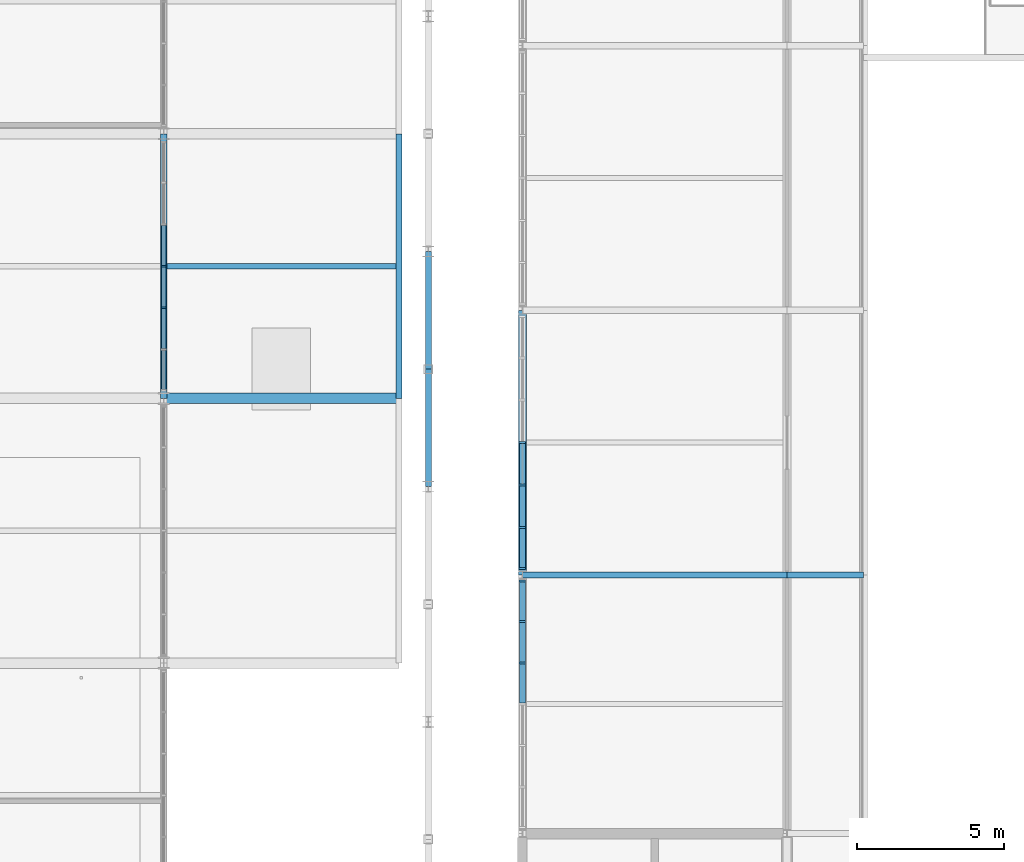
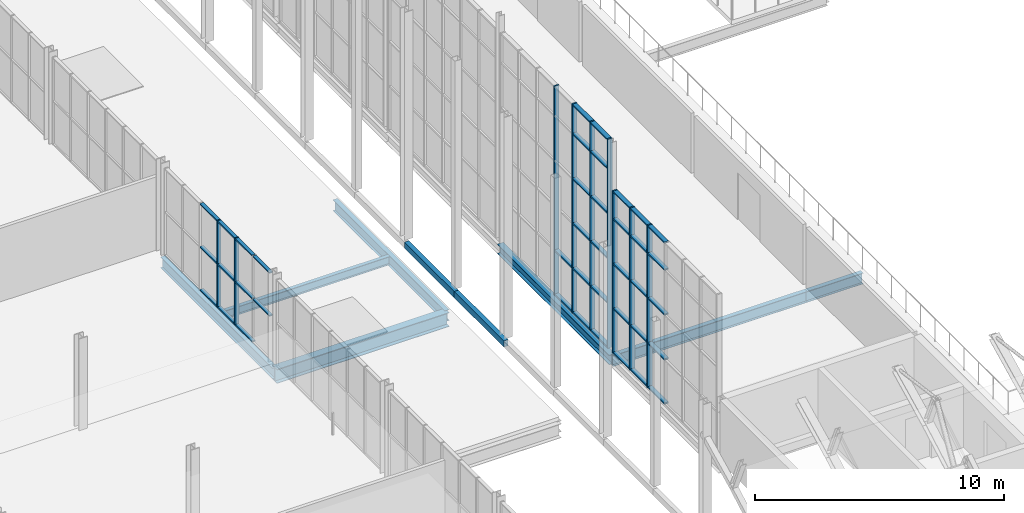
# One storey, part 49 of 134: 49 members, 9 beams, 3 elements without a shape of their own.
"""IFC4 building model written with IfcOpenShell, lengths in metres."""

from ifc_helpers import new_model, si_unit, direction, frame, origin, origin_2d, place, context, subcontext, project, spatial, rectangle, hollow_rectangle, i_section, extrude, material, layer, layer_set, material_profile, profile_set, type_object, element, aggregate, save


model = new_model("IFC4")

# Units and contexts
model_context = context("Model", 3, precision=1e-05, world=origin(), true_north=direction((0.0, 1.0)))
body_context = subcontext(model_context, "Body", "Model", "MODEL_VIEW")
ifc_project = project(units=[si_unit("LENGTHUNIT", "METRE"), si_unit("AREAUNIT", "SQUARE_METRE"), si_unit("VOLUMEUNIT", "CUBIC_METRE"), si_unit("PLANEANGLEUNIT", "RADIAN"), si_unit("MASSUNIT", "GRAM", prefix="KILO")], contexts=[model_context])

# Site, building, storey
site_placement = place(None, origin())
site = spatial("IfcSite", under=ifc_project, at=site_placement, CompositionType="ELEMENT")
building_placement = place(site_placement, origin())
building = spatial("IfcBuilding", under=site, at=building_placement, Name="Cazmaro Siding Exhibition Halls", CompositionType="ELEMENT")
storey_placement = place(building_placement, frame((0.0, 0.0, 12.0)))
storey = spatial("IfcBuildingStorey", under=building, at=storey_placement, Name="L02", CompositionType="ELEMENT", Elevation=12.0)

# Beams
ifc_material_1 = material(Name="Steel ASTM A992 Grade 50", Category="steel")
ifc_material_profile_1 = material_profile(ifc_material_1, i_section(OverallWidth=0.214111328125, OverallDepth=0.549072265625, WebThickness=0.014892578125, FlangeThickness=0.02392578125, at=origin_2d()), Name="W21X93")
ifc_profile_set_1 = profile_set([ifc_material_profile_1], Name="Steel ASTM A992 Grade 50")
beam_type_1 = type_object("IfcBeamType", Name="B-01", PredefinedType="BEAM", material=ifc_profile_set_1)
beam_1_placement = place(storey_placement, frame((36.0, 91.0, -0.4951171875), z_axis=(0.0, 1.0, 0.0), x_axis=(-1.0, 0.0, 0.0)))
element("IfcBeam", 1, at=beam_1_placement, inside=storey, type_object=beam_type_1, Name="Beam B-01 BM-2152", PredefinedType="BEAM", context=body_context, shape_type="SweptSolid", body=[
    extrude(i_section(OverallWidth=0.214111328125, OverallDepth=0.549072265625, WebThickness=0.014892578125, FlangeThickness=0.02392578125, at=origin_2d()), origin(), (0.0, 0.0, 1.0), 9.0),
])
ifc_material_2 = material(Name="Steel ASTM A992 Grade 50", Category="steel")
ifc_material_profile_2 = material_profile(ifc_material_2, i_section(OverallWidth=0.2099609375, OverallDepth=0.535888671875, WebThickness=0.010986328125, FlangeThickness=0.01708984375, at=origin_2d()), Name="W21X68")
ifc_profile_set_2 = profile_set([ifc_material_profile_2], Name="Steel ASTM A992 Grade 50")
beam_type_2 = type_object("IfcBeamType", Name="B-02", PredefinedType="BEAM", material=ifc_profile_set_2)
beam_2_placement = place(storey_placement, frame((48.199951171875, 85.0, -0.488037109375), z_axis=(1.0, 0.0, 0.0), x_axis=(0.0, 1.0, 0.0)))
element("IfcBeam", 2, at=beam_2_placement, inside=storey, type_object=beam_type_2, Name="Beam B-02 BM-0486", PredefinedType="BEAM", context=body_context, shape_type="SweptSolid", body=[
    extrude(i_section(OverallWidth=0.2099609375, OverallDepth=0.535888671875, WebThickness=0.010986328125, FlangeThickness=0.01708984375, at=origin_2d()), origin(), (0.0, 0.0, 1.0), 9.0),
])
beam_3_placement = place(storey_placement, frame((57.199951171875, 85.0, -0.488037109375), z_axis=(1.0, 0.0, 0.0), x_axis=(0.0, 1.0, 0.0)))
element("IfcBeam", 3, at=beam_3_placement, inside=storey, type_object=beam_type_2, Name="Beam B-02 BM-0502", PredefinedType="BEAM", context=body_context, shape_type="SweptSolid", body=[
    extrude(i_section(OverallWidth=0.2099609375, OverallDepth=0.535888671875, WebThickness=0.010986328125, FlangeThickness=0.01708984375, at=origin_2d()), origin(), (0.0, 0.0, 1.0), 2.60009765625),
])
beam_4_placement = place(storey_placement, frame((44.0, 91.0, -0.488037109375), z_axis=(0.0, 1.0, 0.0), x_axis=(-1.0, 0.0, 0.0)))
element("IfcBeam", 4, at=beam_4_placement, inside=storey, type_object=beam_type_2, Name="Beam B-02 BM-2164", PredefinedType="BEAM", context=body_context, shape_type="SweptSolid", body=[
    extrude(i_section(OverallWidth=0.2099609375, OverallDepth=0.535888671875, WebThickness=0.010986328125, FlangeThickness=0.01708984375, at=origin_2d()), origin(), (0.0, 0.0, 1.0), 9.0),
])
ifc_material_3 = material(Name="Steel ASTM A992 Grade 50", Category="steel")
ifc_material_profile_3 = material_profile(ifc_material_3, i_section(OverallWidth=0.279052734375, OverallDepth=0.4619140625, WebThickness=0.010986328125, FlangeThickness=0.01708984375, at=origin_2d()), Name="W18X76")
ifc_profile_set_3 = profile_set([ifc_material_profile_3], Name="Steel ASTM A992 Grade 50")
beam_type_3 = type_object("IfcBeamType", Name="B-03", PredefinedType="BEAM", material=ifc_profile_set_3)
beam_5_placement = place(storey_placement, frame((48.199951171875, 85.0, -0.450927734375), z_axis=(0.0, 1.0, 0.0), x_axis=(-1.0, 0.0, 0.0)))
element("IfcBeam", 5, at=beam_5_placement, inside=storey, type_object=beam_type_3, Name="Beam B-03 BM-0492", PredefinedType="BEAM", context=body_context, shape_type="SweptSolid", body=[
    extrude(i_section(OverallWidth=0.279052734375, OverallDepth=0.4619140625, WebThickness=0.010986328125, FlangeThickness=0.01708984375, at=origin_2d()), origin(), (0.0, 0.0, 1.0), 9.0),
])

# Curtain wall, members
ifc_material_4 = material(Name="Anodized Bronze Aluminum and Solar-Control Low-E Glazing", Category="aluminium")
ifc_layer_1 = layer(ifc_material_4, 0.179931640625)
ifc_layer_set_1 = layer_set([ifc_layer_1], Name="Anodized Bronze Aluminum and Solar-Control Low-E Glazing")
curtain_wall_type_1 = type_object("IfcCurtainWallType", Name="CWS-01", PredefinedType="USERDEFINED", material=ifc_layer_set_1)
curtain_wall_1_placement = place(storey_placement, origin())
curtain_wall_1 = element("IfcCurtainWall", 6, at=curtain_wall_1_placement, inside=storey, type_object=curtain_wall_type_1, Name="Glazed Curtain Wall CWS-01 CW-241", ObjectType="GLAZED CURTAIN WALL", PredefinedType="USERDEFINED")
ifc_material_5 = material(Name="Anodized Bronze Extruded Aluminum", Category="aluminium")
ifc_material_profile_4 = material_profile(ifc_material_5, rectangle(XDim=0.179931640625, YDim=0.06005859375, at=origin_2d()), Name="CWM-01")
ifc_profile_set_4 = profile_set([ifc_material_profile_4], Name="Anodized Bronze Extruded Aluminum")
member_type_1 = type_object("IfcMemberType", Name="CWM-01", PredefinedType="MULLION", material=ifc_profile_set_4)
member_1_placement = place(storey_placement, frame((36.0, 94.081787109375, 0.0), z_axis=(0.0, 0.0, 1.0), x_axis=(-1.0, 0.0, 0.0)))
member_1 = element("IfcMember", 7, at=member_1_placement, type_object=member_type_1, Name="CWS-01 mullion 3", PredefinedType="MULLION", context=body_context, shape_type="SweptSolid", body=[
    extrude(rectangle(XDim=0.179931640625, YDim=0.06005859375, at=origin_2d()), origin(), (0.0, 0.0, 1.0), 4.280029296875),
])
member_2_placement = place(storey_placement, frame((36.0, 95.5, 0.0), z_axis=(0.0, 0.0, 1.0), x_axis=(-1.0, 0.0, 0.0)))
member_2 = element("IfcMember", 8, at=member_2_placement, type_object=member_type_1, Name="CWS-01 mullion 4", PredefinedType="MULLION", context=body_context, shape_type="SweptSolid", body=[
    extrude(rectangle(XDim=0.179931640625, YDim=0.06005859375, at=origin_2d()), origin(), (0.0, 0.0, 1.0), 4.280029296875),
])

ifc_material_6 = material(Name="Anodized Bronze Aluminum and Solar-Control Low-E Glazing", Category="aluminium")
ifc_layer_2 = layer(ifc_material_6, 0.219970703125)
ifc_layer_set_2 = layer_set([ifc_layer_2], Name="Anodized Bronze Aluminum and Solar-Control Low-E Glazing")
curtain_wall_type_2 = type_object("IfcCurtainWallType", Name="CWS-03", PredefinedType="USERDEFINED", material=ifc_layer_set_2)
curtain_wall_2_placement = place(storey_placement, origin())
curtain_wall_2 = element("IfcCurtainWall", 9, at=curtain_wall_2_placement, inside=storey, type_object=curtain_wall_type_2, Name="Glazed Curtain Wall CWS-03 CW-052", ObjectType="GLAZED CURTAIN WALL", PredefinedType="USERDEFINED")
ifc_material_7 = material(Name="Anodized Bronze Extruded Aluminum", Category="aluminium")
ifc_material_profile_5 = material_profile(ifc_material_7, rectangle(XDim=0.219970703125, YDim=0.070068359375, at=origin_2d()), Name="CWM-03")
ifc_profile_set_5 = profile_set([ifc_material_profile_5], Name="Anodized Bronze Extruded Aluminum")
member_type_2 = type_object("IfcMemberType", Name="CWM-03", PredefinedType="MULLION", material=ifc_profile_set_5)
member_3_placement = place(storey_placement, frame((48.199951171875, 84.7880859375, 0.0), z_axis=(0.0, 0.0, 1.0), x_axis=(1.0, 0.0, 0.0)))
member_3 = element("IfcMember", 10, at=member_3_placement, type_object=member_type_2, Name="CWS-03 mullion 1", PredefinedType="MULLION", context=body_context, shape_type="SweptSolid", body=[
    extrude(rectangle(XDim=0.219970703125, YDim=0.070068359375, at=origin_2d()), origin(), (0.0, 0.0, 1.0), 7.972900390625),
])
member_4_placement = place(storey_placement, frame((48.199951171875, 83.415283203125, 0.0), z_axis=(0.0, 0.0, 1.0), x_axis=(1.0, 0.0, 0.0)))
member_4 = element("IfcMember", 11, at=member_4_placement, type_object=member_type_2, Name="CWS-03 mullion 2", PredefinedType="MULLION", context=body_context, shape_type="SweptSolid", body=[
    extrude(rectangle(XDim=0.219970703125, YDim=0.070068359375, at=origin_2d()), origin(), (0.0, 0.0, 1.0), 7.972900390625),
])
member_5_placement = place(storey_placement, frame((48.199951171875, 82.007568359375, 0.0), z_axis=(0.0, 0.0, 1.0), x_axis=(1.0, 0.0, 0.0)))
member_5 = element("IfcMember", 12, at=member_5_placement, type_object=member_type_2, Name="CWS-03 mullion 3", PredefinedType="MULLION", context=body_context, shape_type="SweptSolid", body=[
    extrude(rectangle(XDim=0.219970703125, YDim=0.070068359375, at=origin_2d()), origin(), (0.0, 0.0, 1.0), 7.972900390625),
])

curtain_wall_3_placement = place(storey_placement, origin())
curtain_wall_3 = element("IfcCurtainWall", 13, at=curtain_wall_3_placement, inside=storey, type_object=curtain_wall_type_2, Name="Glazed Curtain Wall CWS-03 CW-055", ObjectType="GLAZED CURTAIN WALL", PredefinedType="USERDEFINED")
member_6_placement = place(storey_placement, frame((48.199951171875, 89.5, 0.0), z_axis=(0.0, 0.0, 1.0), x_axis=(1.0, 0.0, 0.0)))
member_6 = element("IfcMember", 14, at=member_6_placement, type_object=member_type_2, Name="CWS-03 mullion 4", PredefinedType="MULLION", context=body_context, shape_type="SweptSolid", body=[
    extrude(rectangle(XDim=0.219970703125, YDim=0.070068359375, at=origin_2d()), origin(), (0.0, 0.0, 1.0), 10.258056640625),
])
member_7_placement = place(storey_placement, frame((48.199951171875, 88.05908203125, 0.0), z_axis=(0.0, 0.0, 1.0), x_axis=(1.0, 0.0, 0.0)))
member_7 = element("IfcMember", 15, at=member_7_placement, type_object=member_type_2, Name="CWS-03 mullion 5", PredefinedType="MULLION", context=body_context, shape_type="SweptSolid", body=[
    extrude(rectangle(XDim=0.219970703125, YDim=0.070068359375, at=origin_2d()), origin(), (0.0, 0.0, 1.0), 10.258056640625),
])
member_8_placement = place(storey_placement, frame((48.199951171875, 86.617919921875, 0.0), z_axis=(0.0, 0.0, 1.0), x_axis=(1.0, 0.0, 0.0)))
member_8 = element("IfcMember", 16, at=member_8_placement, type_object=member_type_2, Name="CWS-03 mullion 6", PredefinedType="MULLION", context=body_context, shape_type="SweptSolid", body=[
    extrude(rectangle(XDim=0.219970703125, YDim=0.070068359375, at=origin_2d()), origin(), (0.0, 0.0, 1.0), 10.258056640625),
])
member_9_placement = place(storey_placement, frame((48.199951171875, 85.2119140625, 0.0), z_axis=(0.0, 0.0, 1.0), x_axis=(1.0, 0.0, 0.0)))
member_9 = element("IfcMember", 17, at=member_9_placement, type_object=member_type_2, Name="CWS-03 mullion 7", PredefinedType="MULLION", context=body_context, shape_type="SweptSolid", body=[
    extrude(rectangle(XDim=0.219970703125, YDim=0.070068359375, at=origin_2d()), origin(), (0.0, 0.0, 1.0), 10.258056640625),
])

# Member
ifc_material_8 = material(Name="Anodized Bronze Extruded Aluminum", Category="aluminium")
ifc_material_profile_6 = material_profile(ifc_material_8, rectangle(XDim=0.159912109375, YDim=0.06005859375, at=origin_2d()), Name="CWT-01")
ifc_profile_set_6 = profile_set([ifc_material_profile_6], Name="Anodized Bronze Extruded Aluminum")
member_type_3 = type_object("IfcMemberType", Name="CWT-01", PredefinedType="MULLION", material=ifc_profile_set_6)
member_10_placement = place(storey_placement, frame((36.0, 91.304931640625, 2.139892578125), z_axis=(0.0, 1.0, 0.0), x_axis=(-1.0, 0.0, 0.0)))
member_10 = element("IfcMember", 18, at=member_10_placement, type_object=member_type_3, Name="CWS-01 transom 1.2", ObjectType="TRANSOM", PredefinedType="USERDEFINED", context=body_context, shape_type="SweptSolid", body=[
    extrude(rectangle(XDim=0.159912109375, YDim=0.06005859375, at=origin_2d()), origin(), (0.0, 0.0, 1.0), 1.328369140625),
])

member_11_placement = place(storey_placement, frame((36.0, 91.304931640625, 4.25), z_axis=(0.0, 1.0, 0.0), x_axis=(-1.0, 0.0, 0.0)))
member_11 = element("IfcMember", 19, at=member_11_placement, type_object=member_type_3, Name="CWS-01 transom 1.3", ObjectType="TRANSOM", PredefinedType="USERDEFINED", context=body_context, shape_type="SweptSolid", body=[
    extrude(rectangle(XDim=0.159912109375, YDim=0.06005859375, at=origin_2d()), origin(), (0.0, 0.0, 1.0), 1.328369140625),
])

member_12_placement = place(storey_placement, frame((36.0, 92.693359375, 0.030029296875), z_axis=(0.0, 1.0, 0.0), x_axis=(-1.0, 0.0, 0.0)))
member_12 = element("IfcMember", 20, at=member_12_placement, type_object=member_type_3, Name="CWS-01 transom 2.1", ObjectType="TRANSOM", PredefinedType="USERDEFINED", context=body_context, shape_type="SweptSolid", body=[
    extrude(rectangle(XDim=0.159912109375, YDim=0.06005859375, at=origin_2d()), origin(), (0.0, 0.0, 1.0), 1.3583984375),
])

member_13_placement = place(storey_placement, frame((36.0, 92.693359375, 2.139892578125), z_axis=(0.0, 1.0, 0.0), x_axis=(-1.0, 0.0, 0.0)))
member_13 = element("IfcMember", 21, at=member_13_placement, type_object=member_type_3, Name="CWS-01 transom 2.2", ObjectType="TRANSOM", PredefinedType="USERDEFINED", context=body_context, shape_type="SweptSolid", body=[
    extrude(rectangle(XDim=0.159912109375, YDim=0.06005859375, at=origin_2d()), origin(), (0.0, 0.0, 1.0), 1.3583984375),
])

member_14_placement = place(storey_placement, frame((36.0, 92.693359375, 4.25), z_axis=(0.0, 1.0, 0.0), x_axis=(-1.0, 0.0, 0.0)))
member_14 = element("IfcMember", 22, at=member_14_placement, type_object=member_type_3, Name="CWS-01 transom 2.3", ObjectType="TRANSOM", PredefinedType="USERDEFINED", context=body_context, shape_type="SweptSolid", body=[
    extrude(rectangle(XDim=0.159912109375, YDim=0.06005859375, at=origin_2d()), origin(), (0.0, 0.0, 1.0), 1.3583984375),
])

member_15_placement = place(storey_placement, frame((36.0, 94.111572265625, 0.030029296875), z_axis=(0.0, 1.0, 0.0), x_axis=(-1.0, 0.0, 0.0)))
member_15 = element("IfcMember", 23, at=member_15_placement, type_object=member_type_3, Name="CWS-01 transom 3.1", ObjectType="TRANSOM", PredefinedType="USERDEFINED", context=body_context, shape_type="SweptSolid", body=[
    extrude(rectangle(XDim=0.159912109375, YDim=0.06005859375, at=origin_2d()), origin(), (0.0, 0.0, 1.0), 1.3583984375),
])

member_16_placement = place(storey_placement, frame((36.0, 94.111572265625, 2.139892578125), z_axis=(0.0, 1.0, 0.0), x_axis=(-1.0, 0.0, 0.0)))
member_16 = element("IfcMember", 24, at=member_16_placement, type_object=member_type_3, Name="CWS-01 transom 3.2", ObjectType="TRANSOM", PredefinedType="USERDEFINED", context=body_context, shape_type="SweptSolid", body=[
    extrude(rectangle(XDim=0.159912109375, YDim=0.06005859375, at=origin_2d()), origin(), (0.0, 0.0, 1.0), 1.3583984375),
])

member_17_placement = place(storey_placement, frame((36.0, 94.111572265625, 4.25), z_axis=(0.0, 1.0, 0.0), x_axis=(-1.0, 0.0, 0.0)))
member_17 = element("IfcMember", 25, at=member_17_placement, type_object=member_type_3, Name="CWS-01 transom 3.3", ObjectType="TRANSOM", PredefinedType="USERDEFINED", context=body_context, shape_type="SweptSolid", body=[
    extrude(rectangle(XDim=0.159912109375, YDim=0.06005859375, at=origin_2d()), origin(), (0.0, 0.0, 1.0), 1.3583984375),
])

member_18_placement = place(storey_placement, frame((36.0, 95.530029296875, 0.030029296875), z_axis=(0.0, 1.0, 0.0), x_axis=(-1.0, 0.0, 0.0)))
member_18 = element("IfcMember", 26, at=member_18_placement, type_object=member_type_3, Name="CWS-01 transom 4.1", ObjectType="TRANSOM", PredefinedType="USERDEFINED", context=body_context, shape_type="SweptSolid", body=[
    extrude(rectangle(XDim=0.159912109375, YDim=0.06005859375, at=origin_2d()), origin(), (0.0, 0.0, 1.0), 1.3583984375),
])

member_19_placement = place(storey_placement, frame((36.0, 95.530029296875, 2.139892578125), z_axis=(0.0, 1.0, 0.0), x_axis=(-1.0, 0.0, 0.0)))
member_19 = element("IfcMember", 27, at=member_19_placement, type_object=member_type_3, Name="CWS-01 transom 4.2", ObjectType="TRANSOM", PredefinedType="USERDEFINED", context=body_context, shape_type="SweptSolid", body=[
    extrude(rectangle(XDim=0.159912109375, YDim=0.06005859375, at=origin_2d()), origin(), (0.0, 0.0, 1.0), 1.3583984375),
])

member_20_placement = place(storey_placement, frame((36.0, 95.530029296875, 4.25), z_axis=(0.0, 1.0, 0.0), x_axis=(-1.0, 0.0, 0.0)))
member_20 = element("IfcMember", 28, at=member_20_placement, type_object=member_type_3, Name="CWS-01 transom 4.3", ObjectType="TRANSOM", PredefinedType="USERDEFINED", context=body_context, shape_type="SweptSolid", body=[
    extrude(rectangle(XDim=0.159912109375, YDim=0.06005859375, at=origin_2d()), origin(), (0.0, 0.0, 1.0), 1.3583984375),
])

aggregate(curtain_wall_1, [member_1, member_2, member_10, member_11, member_12, member_13, member_14, member_15, member_16, member_17, member_18, member_19, member_20])

ifc_material_9 = material(Name="Anodized Bronze Extruded Aluminum", Category="aluminium")
ifc_material_profile_7 = material_profile(ifc_material_9, rectangle(XDim=0.199951171875, YDim=0.070068359375, at=origin_2d()), Name="CWT-03")
ifc_profile_set_7 = profile_set([ifc_material_profile_7], Name="Anodized Bronze Extruded Aluminum")
member_type_4 = type_object("IfcMemberType", Name="CWT-03", PredefinedType="MULLION", material=ifc_profile_set_7)
member_21_placement = place(storey_placement, frame((48.199951171875, 84.7529296875, 0.034912109375), z_axis=(0.0, -1.0, 0.0), x_axis=(1.0, 0.0, 0.0)))
member_21 = element("IfcMember", 29, at=member_21_placement, type_object=member_type_4, Name="CWS-03 transom 1.1", ObjectType="TRANSOM", PredefinedType="USERDEFINED", context=body_context, shape_type="SweptSolid", body=[
    extrude(rectangle(XDim=0.199951171875, YDim=0.070068359375, at=origin_2d()), origin(), (0.0, 0.0, 1.0), 1.302490234375),
])

member_22_placement = place(storey_placement, frame((48.199951171875, 84.7529296875, 2.199951171875), z_axis=(0.0, -1.0, 0.0), x_axis=(1.0, 0.0, 0.0)))
member_22 = element("IfcMember", 30, at=member_22_placement, type_object=member_type_4, Name="CWS-03 transom 1.2", ObjectType="TRANSOM", PredefinedType="USERDEFINED", context=body_context, shape_type="SweptSolid", body=[
    extrude(rectangle(XDim=0.199951171875, YDim=0.070068359375, at=origin_2d()), origin(), (0.0, 0.0, 1.0), 1.302490234375),
])

member_23_placement = place(storey_placement, frame((48.199951171875, 84.7529296875, 4.39990234375), z_axis=(0.0, -1.0, 0.0), x_axis=(1.0, 0.0, 0.0)))
member_23 = element("IfcMember", 31, at=member_23_placement, type_object=member_type_4, Name="CWS-03 transom 1.3", ObjectType="TRANSOM", PredefinedType="USERDEFINED", context=body_context, shape_type="SweptSolid", body=[
    extrude(rectangle(XDim=0.199951171875, YDim=0.070068359375, at=origin_2d()), origin(), (0.0, 0.0, 1.0), 1.302490234375),
])

member_24_placement = place(storey_placement, frame((48.199951171875, 84.7529296875, 6.60009765625), z_axis=(0.0, -1.0, 0.0), x_axis=(1.0, 0.0, 0.0)))
member_24 = element("IfcMember", 32, at=member_24_placement, type_object=member_type_4, Name="CWS-03 transom 1.4", ObjectType="TRANSOM", PredefinedType="USERDEFINED", context=body_context, shape_type="SweptSolid", body=[
    extrude(rectangle(XDim=0.199951171875, YDim=0.070068359375, at=origin_2d()), origin(), (0.0, 0.0, 1.0), 1.302490234375),
])

member_25_placement = place(storey_placement, frame((48.199951171875, 84.7529296875, 7.93798828125), z_axis=(0.0, -1.0, 0.0), x_axis=(1.0, 0.0, 0.0)))
member_25 = element("IfcMember", 33, at=member_25_placement, type_object=member_type_4, Name="CWS-03 transom 1.5", ObjectType="TRANSOM", PredefinedType="USERDEFINED", context=body_context, shape_type="SweptSolid", body=[
    extrude(rectangle(XDim=0.199951171875, YDim=0.070068359375, at=origin_2d()), origin(), (0.0, 0.0, 1.0), 1.302490234375),
])

member_26_placement = place(storey_placement, frame((48.199951171875, 83.38037109375, 0.034912109375), z_axis=(0.0, -1.0, 0.0), x_axis=(1.0, 0.0, 0.0)))
member_26 = element("IfcMember", 34, at=member_26_placement, type_object=member_type_4, Name="CWS-03 transom 2.1", ObjectType="TRANSOM", PredefinedType="USERDEFINED", context=body_context, shape_type="SweptSolid", body=[
    extrude(rectangle(XDim=0.199951171875, YDim=0.070068359375, at=origin_2d()), origin(), (0.0, 0.0, 1.0), 1.337646484375),
])

member_27_placement = place(storey_placement, frame((48.199951171875, 83.38037109375, 2.199951171875), z_axis=(0.0, -1.0, 0.0), x_axis=(1.0, 0.0, 0.0)))
member_27 = element("IfcMember", 35, at=member_27_placement, type_object=member_type_4, Name="CWS-03 transom 2.2", ObjectType="TRANSOM", PredefinedType="USERDEFINED", context=body_context, shape_type="SweptSolid", body=[
    extrude(rectangle(XDim=0.199951171875, YDim=0.070068359375, at=origin_2d()), origin(), (0.0, 0.0, 1.0), 1.337646484375),
])

member_28_placement = place(storey_placement, frame((48.199951171875, 83.38037109375, 4.39990234375), z_axis=(0.0, -1.0, 0.0), x_axis=(1.0, 0.0, 0.0)))
member_28 = element("IfcMember", 36, at=member_28_placement, type_object=member_type_4, Name="CWS-03 transom 2.3", ObjectType="TRANSOM", PredefinedType="USERDEFINED", context=body_context, shape_type="SweptSolid", body=[
    extrude(rectangle(XDim=0.199951171875, YDim=0.070068359375, at=origin_2d()), origin(), (0.0, 0.0, 1.0), 1.337646484375),
])

member_29_placement = place(storey_placement, frame((48.199951171875, 83.38037109375, 6.60009765625), z_axis=(0.0, -1.0, 0.0), x_axis=(1.0, 0.0, 0.0)))
member_29 = element("IfcMember", 37, at=member_29_placement, type_object=member_type_4, Name="CWS-03 transom 2.4", ObjectType="TRANSOM", PredefinedType="USERDEFINED", context=body_context, shape_type="SweptSolid", body=[
    extrude(rectangle(XDim=0.199951171875, YDim=0.070068359375, at=origin_2d()), origin(), (0.0, 0.0, 1.0), 1.337646484375),
])

member_30_placement = place(storey_placement, frame((48.199951171875, 83.38037109375, 7.93798828125), z_axis=(0.0, -1.0, 0.0), x_axis=(1.0, 0.0, 0.0)))
member_30 = element("IfcMember", 38, at=member_30_placement, type_object=member_type_4, Name="CWS-03 transom 2.5", ObjectType="TRANSOM", PredefinedType="USERDEFINED", context=body_context, shape_type="SweptSolid", body=[
    extrude(rectangle(XDim=0.199951171875, YDim=0.070068359375, at=origin_2d()), origin(), (0.0, 0.0, 1.0), 1.337646484375),
])

member_31_placement = place(storey_placement, frame((48.199951171875, 81.97265625, 0.034912109375), z_axis=(0.0, -1.0, 0.0), x_axis=(1.0, 0.0, 0.0)))
member_31 = element("IfcMember", 39, at=member_31_placement, type_object=member_type_4, Name="CWS-03 transom 3.1", ObjectType="TRANSOM", PredefinedType="USERDEFINED", context=body_context, shape_type="SweptSolid", body=[
    extrude(rectangle(XDim=0.199951171875, YDim=0.070068359375, at=origin_2d()), origin(), (0.0, 0.0, 1.0), 1.337646484375),
])

member_32_placement = place(storey_placement, frame((48.199951171875, 81.97265625, 2.199951171875), z_axis=(0.0, -1.0, 0.0), x_axis=(1.0, 0.0, 0.0)))
member_32 = element("IfcMember", 40, at=member_32_placement, type_object=member_type_4, Name="CWS-03 transom 3.2", ObjectType="TRANSOM", PredefinedType="USERDEFINED", context=body_context, shape_type="SweptSolid", body=[
    extrude(rectangle(XDim=0.199951171875, YDim=0.070068359375, at=origin_2d()), origin(), (0.0, 0.0, 1.0), 1.337646484375),
])

member_33_placement = place(storey_placement, frame((48.199951171875, 81.97265625, 4.39990234375), z_axis=(0.0, -1.0, 0.0), x_axis=(1.0, 0.0, 0.0)))
member_33 = element("IfcMember", 41, at=member_33_placement, type_object=member_type_4, Name="CWS-03 transom 3.3", ObjectType="TRANSOM", PredefinedType="USERDEFINED", context=body_context, shape_type="SweptSolid", body=[
    extrude(rectangle(XDim=0.199951171875, YDim=0.070068359375, at=origin_2d()), origin(), (0.0, 0.0, 1.0), 1.337646484375),
])

member_34_placement = place(storey_placement, frame((48.199951171875, 81.97265625, 6.60009765625), z_axis=(0.0, -1.0, 0.0), x_axis=(1.0, 0.0, 0.0)))
member_34 = element("IfcMember", 42, at=member_34_placement, type_object=member_type_4, Name="CWS-03 transom 3.4", ObjectType="TRANSOM", PredefinedType="USERDEFINED", context=body_context, shape_type="SweptSolid", body=[
    extrude(rectangle(XDim=0.199951171875, YDim=0.070068359375, at=origin_2d()), origin(), (0.0, 0.0, 1.0), 1.337646484375),
])

member_35_placement = place(storey_placement, frame((48.199951171875, 81.97265625, 7.93798828125), z_axis=(0.0, -1.0, 0.0), x_axis=(1.0, 0.0, 0.0)))
member_35 = element("IfcMember", 43, at=member_35_placement, type_object=member_type_4, Name="CWS-03 transom 3.5", ObjectType="TRANSOM", PredefinedType="USERDEFINED", context=body_context, shape_type="SweptSolid", body=[
    extrude(rectangle(XDim=0.199951171875, YDim=0.070068359375, at=origin_2d()), origin(), (0.0, 0.0, 1.0), 1.337646484375),
])

aggregate(curtain_wall_2, [member_3, member_4, member_5, member_21, member_22, member_23, member_24, member_25, member_26, member_27, member_28, member_29, member_30, member_31, member_32, member_33, member_34, member_35])

member_36_placement = place(storey_placement, frame((48.199951171875, 89.465087890625, 0.034912109375), z_axis=(0.0, -1.0, 0.0), x_axis=(1.0, 0.0, 0.0)))
member_36 = element("IfcMember", 44, at=member_36_placement, type_object=member_type_4, Name="CWS-03 transom 4.1", ObjectType="TRANSOM", PredefinedType="USERDEFINED", context=body_context, shape_type="SweptSolid", body=[
    extrude(rectangle(XDim=0.199951171875, YDim=0.070068359375, at=origin_2d()), origin(), (0.0, 0.0, 1.0), 1.37109375),
])

member_37_placement = place(storey_placement, frame((48.199951171875, 89.465087890625, 2.199951171875), z_axis=(0.0, -1.0, 0.0), x_axis=(1.0, 0.0, 0.0)))
member_37 = element("IfcMember", 45, at=member_37_placement, type_object=member_type_4, Name="CWS-03 transom 4.2", ObjectType="TRANSOM", PredefinedType="USERDEFINED", context=body_context, shape_type="SweptSolid", body=[
    extrude(rectangle(XDim=0.199951171875, YDim=0.070068359375, at=origin_2d()), origin(), (0.0, 0.0, 1.0), 1.37109375),
])

member_38_placement = place(storey_placement, frame((48.199951171875, 88.02392578125, 0.034912109375), z_axis=(0.0, -1.0, 0.0), x_axis=(1.0, 0.0, 0.0)))
member_38 = element("IfcMember", 46, at=member_38_placement, type_object=member_type_4, Name="CWS-03 transom 5.1", ObjectType="TRANSOM", PredefinedType="USERDEFINED", context=body_context, shape_type="SweptSolid", body=[
    extrude(rectangle(XDim=0.199951171875, YDim=0.070068359375, at=origin_2d()), origin(), (0.0, 0.0, 1.0), 1.370849609375),
])

member_39_placement = place(storey_placement, frame((48.199951171875, 88.02392578125, 2.199951171875), z_axis=(0.0, -1.0, 0.0), x_axis=(1.0, 0.0, 0.0)))
member_39 = element("IfcMember", 47, at=member_39_placement, type_object=member_type_4, Name="CWS-03 transom 5.2", ObjectType="TRANSOM", PredefinedType="USERDEFINED", context=body_context, shape_type="SweptSolid", body=[
    extrude(rectangle(XDim=0.199951171875, YDim=0.070068359375, at=origin_2d()), origin(), (0.0, 0.0, 1.0), 1.370849609375),
])

member_40_placement = place(storey_placement, frame((48.199951171875, 88.02392578125, 4.39990234375), z_axis=(0.0, -1.0, 0.0), x_axis=(1.0, 0.0, 0.0)))
member_40 = element("IfcMember", 48, at=member_40_placement, type_object=member_type_4, Name="CWS-03 transom 5.3", ObjectType="TRANSOM", PredefinedType="USERDEFINED", context=body_context, shape_type="SweptSolid", body=[
    extrude(rectangle(XDim=0.199951171875, YDim=0.070068359375, at=origin_2d()), origin(), (0.0, 0.0, 1.0), 1.370849609375),
])

member_41_placement = place(storey_placement, frame((48.199951171875, 88.02392578125, 6.60009765625), z_axis=(0.0, -1.0, 0.0), x_axis=(1.0, 0.0, 0.0)))
member_41 = element("IfcMember", 49, at=member_41_placement, type_object=member_type_4, Name="CWS-03 transom 5.4", ObjectType="TRANSOM", PredefinedType="USERDEFINED", context=body_context, shape_type="SweptSolid", body=[
    extrude(rectangle(XDim=0.199951171875, YDim=0.070068359375, at=origin_2d()), origin(), (0.0, 0.0, 1.0), 1.370849609375),
])

member_42_placement = place(storey_placement, frame((48.199951171875, 88.02392578125, 8.800048828125), z_axis=(0.0, -1.0, 0.0), x_axis=(1.0, 0.0, 0.0)))
member_42 = element("IfcMember", 50, at=member_42_placement, type_object=member_type_4, Name="CWS-03 transom 5.5", ObjectType="TRANSOM", PredefinedType="USERDEFINED", context=body_context, shape_type="SweptSolid", body=[
    extrude(rectangle(XDim=0.199951171875, YDim=0.070068359375, at=origin_2d()), origin(), (0.0, 0.0, 1.0), 1.370849609375),
])

member_43_placement = place(storey_placement, frame((48.199951171875, 88.02392578125, 10.222900390625), z_axis=(0.0, -1.0, 0.0), x_axis=(1.0, 0.0, 0.0)))
member_43 = element("IfcMember", 51, at=member_43_placement, type_object=member_type_4, Name="CWS-03 transom 5.6", ObjectType="TRANSOM", PredefinedType="USERDEFINED", context=body_context, shape_type="SweptSolid", body=[
    extrude(rectangle(XDim=0.199951171875, YDim=0.070068359375, at=origin_2d()), origin(), (0.0, 0.0, 1.0), 1.370849609375),
])

member_44_placement = place(storey_placement, frame((48.199951171875, 86.5830078125, 0.034912109375), z_axis=(0.0, -1.0, 0.0), x_axis=(1.0, 0.0, 0.0)))
member_44 = element("IfcMember", 52, at=member_44_placement, type_object=member_type_4, Name="CWS-03 transom 6.1", ObjectType="TRANSOM", PredefinedType="USERDEFINED", context=body_context, shape_type="SweptSolid", body=[
    extrude(rectangle(XDim=0.199951171875, YDim=0.070068359375, at=origin_2d()), origin(), (0.0, 0.0, 1.0), 1.3359375),
])

member_45_placement = place(storey_placement, frame((48.199951171875, 86.5830078125, 2.199951171875), z_axis=(0.0, -1.0, 0.0), x_axis=(1.0, 0.0, 0.0)))
member_45 = element("IfcMember", 53, at=member_45_placement, type_object=member_type_4, Name="CWS-03 transom 6.2", ObjectType="TRANSOM", PredefinedType="USERDEFINED", context=body_context, shape_type="SweptSolid", body=[
    extrude(rectangle(XDim=0.199951171875, YDim=0.070068359375, at=origin_2d()), origin(), (0.0, 0.0, 1.0), 1.3359375),
])

member_46_placement = place(storey_placement, frame((48.199951171875, 86.5830078125, 4.39990234375), z_axis=(0.0, -1.0, 0.0), x_axis=(1.0, 0.0, 0.0)))
member_46 = element("IfcMember", 54, at=member_46_placement, type_object=member_type_4, Name="CWS-03 transom 6.3", ObjectType="TRANSOM", PredefinedType="USERDEFINED", context=body_context, shape_type="SweptSolid", body=[
    extrude(rectangle(XDim=0.199951171875, YDim=0.070068359375, at=origin_2d()), origin(), (0.0, 0.0, 1.0), 1.3359375),
])

member_47_placement = place(storey_placement, frame((48.199951171875, 86.5830078125, 6.60009765625), z_axis=(0.0, -1.0, 0.0), x_axis=(1.0, 0.0, 0.0)))
member_47 = element("IfcMember", 55, at=member_47_placement, type_object=member_type_4, Name="CWS-03 transom 6.4", ObjectType="TRANSOM", PredefinedType="USERDEFINED", context=body_context, shape_type="SweptSolid", body=[
    extrude(rectangle(XDim=0.199951171875, YDim=0.070068359375, at=origin_2d()), origin(), (0.0, 0.0, 1.0), 1.3359375),
])

member_48_placement = place(storey_placement, frame((48.199951171875, 86.5830078125, 8.800048828125), z_axis=(0.0, -1.0, 0.0), x_axis=(1.0, 0.0, 0.0)))
member_48 = element("IfcMember", 56, at=member_48_placement, type_object=member_type_4, Name="CWS-03 transom 6.5", ObjectType="TRANSOM", PredefinedType="USERDEFINED", context=body_context, shape_type="SweptSolid", body=[
    extrude(rectangle(XDim=0.199951171875, YDim=0.070068359375, at=origin_2d()), origin(), (0.0, 0.0, 1.0), 1.3359375),
])

member_49_placement = place(storey_placement, frame((48.199951171875, 86.5830078125, 10.222900390625), z_axis=(0.0, -1.0, 0.0), x_axis=(1.0, 0.0, 0.0)))
member_49 = element("IfcMember", 57, at=member_49_placement, type_object=member_type_4, Name="CWS-03 transom 6.6", ObjectType="TRANSOM", PredefinedType="USERDEFINED", context=body_context, shape_type="SweptSolid", body=[
    extrude(rectangle(XDim=0.199951171875, YDim=0.070068359375, at=origin_2d()), origin(), (0.0, 0.0, 1.0), 1.3359375),
])

aggregate(curtain_wall_3, [member_6, member_7, member_8, member_9, member_36, member_37, member_38, member_39, member_40, member_41, member_42, member_43, member_44, member_45, member_46, member_47, member_48, member_49])

# Beams
ifc_material_10 = material(Name="Steel ASTM A992 Grade 50", Category="steel")
ifc_material_profile_8 = material_profile(ifc_material_10, i_section(OverallWidth=0.35595703125, OverallDepth=0.696044921875, WebThickness=0.014892578125, FlangeThickness=0.02490234375, at=origin_2d()), Name="W27X146")
ifc_profile_set_8 = profile_set([ifc_material_profile_8], Name="Steel ASTM A992 Grade 50")
beam_type_4 = type_object("IfcBeamType", Name="G-05", PredefinedType="USERDEFINED", material=ifc_profile_set_8)
beam_6_placement = place(storey_placement, frame((36.0, 91.0, -0.568115234375), z_axis=(1.0, 0.0, 0.0), x_axis=(0.0, 1.0, 0.0)))
element("IfcBeam", 58, at=beam_6_placement, inside=storey, type_object=beam_type_4, Name="Beam G-05 BM-2157", ObjectType="GIRDER", PredefinedType="USERDEFINED", context=body_context, shape_type="SweptSolid", body=[
    extrude(i_section(OverallWidth=0.35595703125, OverallDepth=0.696044921875, WebThickness=0.014892578125, FlangeThickness=0.02490234375, at=origin_2d()), origin(), (0.0, 0.0, 1.0), 8.0),
])
ifc_material_11 = material(Name="Steel ASTM A992 Grade 50", Category="steel")
ifc_material_profile_9 = material_profile(ifc_material_11, i_section(OverallWidth=0.177978515625, OverallDepth=0.406005859375, WebThickness=0.008056640625, FlangeThickness=0.012939453125, at=origin_2d()), Name="W16X40")
ifc_profile_set_9 = profile_set([ifc_material_profile_9], Name="Steel ASTM A992 Grade 50")
beam_type_5 = type_object("IfcBeamType", Name="J-02", PredefinedType="JOIST", material=ifc_profile_set_9)
beam_7_placement = place(storey_placement, frame((36.10693359375, 95.5, -0.423095703125), z_axis=(1.0, 0.0, 0.0), x_axis=(0.0, 1.0, 0.0)))
element("IfcBeam", 59, at=beam_7_placement, inside=storey, type_object=beam_type_5, Name="Beam J-02 BM-2165", PredefinedType="JOIST", context=body_context, shape_type="SweptSolid", body=[
    extrude(i_section(OverallWidth=0.177978515625, OverallDepth=0.406005859375, WebThickness=0.008056640625, FlangeThickness=0.012939453125, at=origin_2d()), origin(), (0.0, 0.0, 1.0), 7.7880859375),
])
ifc_material_12 = material(Name="Steel ASTM A500 Grade C", Category="steel")
ifc_material_profile_10 = material_profile(ifc_material_12, hollow_rectangle(XDim=0.202880859375, YDim=0.304931640625, WallThickness=0.011962890625, at=origin_2d()), Name="HSS12X8X1/2")
ifc_profile_set_10 = profile_set([ifc_material_profile_10], Name="Steel ASTM A500 Grade C")
beam_type_6 = type_object("IfcBeamType", Name="SP-01", PredefinedType="SPANDREL", material=ifc_profile_set_10)
for number, where, z_axis, x_axis, name in (
    (60, (45.0, 88.0, -0.373046875), (0.0, 1.0, 0.0), (-1.0, 0.0, 0.0), "Beam SP-01 BM-0014"),
    (61, (45.0, 92.0, -0.373046875), (0.0, 1.0, 0.0), (-1.0, 0.0, 0.0), "Beam SP-01 BM-0016"),
):
    element("IfcBeam", number, at=place(storey_placement, frame(where, z_axis=z_axis, x_axis=x_axis)), inside=storey, type_object=beam_type_6, Name=name, PredefinedType="SPANDREL", context=body_context, shape_type="SweptSolid", body=[
        extrude(hollow_rectangle(XDim=0.202880859375, YDim=0.304931640625, WallThickness=0.011962890625, at=origin_2d()), origin(), (0.0, 0.0, 1.0), 4.0),
    ])

save(model, "model.ifc")
